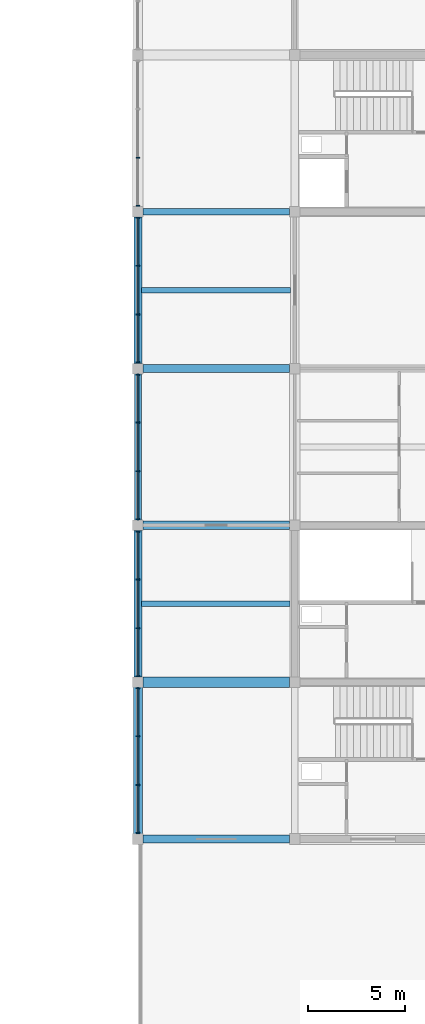
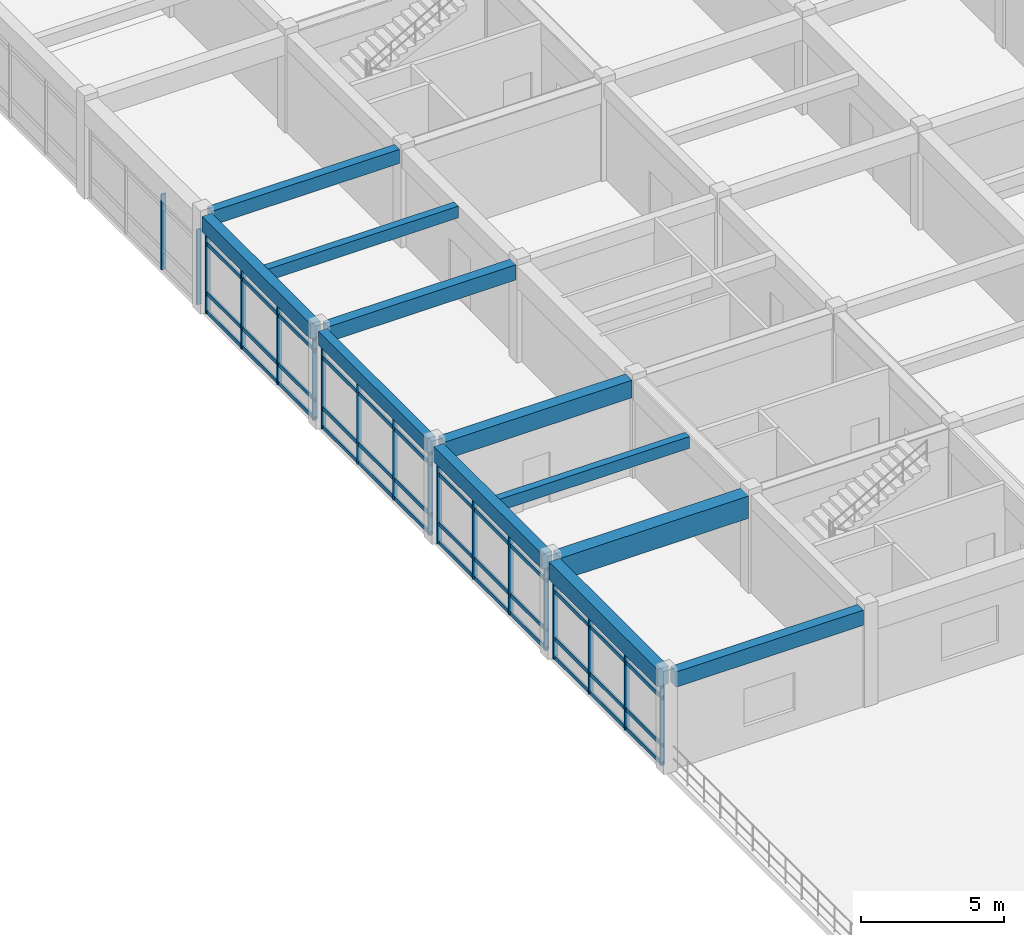
# One storey, part 13 of 33: 34 members, 11 beams, 5 elements without a shape of their own.
"""IFC4 building model written with IfcOpenShell, lengths in metres."""

from ifc_helpers import new_model, si_unit, direction, frame, origin, origin_2d, place, context, subcontext, project, spatial, rectangle, extrude, material, layer, layer_set, material_profile, profile_set, type_object, element, aggregate, save


model = new_model("IFC4")

# Units and contexts
model_context = context("Model", 3, precision=1e-05, world=origin(), true_north=direction((0.0, 1.0)))
body_context = subcontext(model_context, "Body", "Model", "MODEL_VIEW")
ifc_project = project(units=[si_unit("LENGTHUNIT", "METRE"), si_unit("AREAUNIT", "SQUARE_METRE"), si_unit("VOLUMEUNIT", "CUBIC_METRE"), si_unit("PLANEANGLEUNIT", "RADIAN"), si_unit("MASSUNIT", "GRAM", prefix="KILO")], contexts=[model_context])

# Site, building, storey
site_placement = place(None, origin())
site = spatial("IfcSite", under=ifc_project, at=site_placement, CompositionType="ELEMENT")
building_placement = place(site_placement, origin())
building = spatial("IfcBuilding", under=site, at=building_placement, Name="Vaudrelin Polytechnic", CompositionType="ELEMENT")
storey_placement = place(building_placement, frame((0.0, 0.0, 27.3701171875)))
storey = spatial("IfcBuildingStorey", under=building, at=storey_placement, Name="L06", CompositionType="ELEMENT", Elevation=27.3701171875)

# Beams
ifc_material_1 = material(Name="Concrete 40 MPa", Category="concrete")
ifc_material_profile_1 = material_profile(ifc_material_1, rectangle(XDim=0.35009765625, YDim=0.60009765625, at=origin_2d()), Name="RC350x600")
ifc_profile_set_1 = profile_set([ifc_material_profile_1], Name="Concrete 40 MPa")
beam_type_1 = type_object("IfcBeamType", Name="BM-BM-RC3560", PredefinedType="BEAM", material=ifc_profile_set_1)
beam_1_placement = place(storey_placement, frame((137.699951171875, 48.860107421875, 3.85986328125), z_axis=(0.0, 1.0, 0.0), x_axis=(-1.0, 0.0, 0.0)))
element("IfcBeam", 1, at=beam_1_placement, inside=storey, type_object=beam_type_1, Name="L06 Y-beam 18-7", PredefinedType="BEAM", context=body_context, shape_type="SweptSolid", body=[
    extrude(rectangle(XDim=0.35009765625, YDim=0.60009765625, at=origin_2d()), origin(), (0.0, 0.0, 1.0), 7.579833984375),
])
beam_2_placement = place(storey_placement, frame((137.970947265625, 64.800048828125, 3.85986328125), z_axis=(1.0, 0.0, 0.0), x_axis=(0.0, 1.0, 0.0)))
element("IfcBeam", 2, at=beam_2_placement, inside=storey, type_object=beam_type_1, Name="L06 X-beam 18-9", PredefinedType="BEAM", context=body_context, shape_type="SweptSolid", body=[
    extrude(rectangle(XDim=0.35009765625, YDim=0.60009765625, at=origin_2d()), origin(), (0.0, 0.0, 1.0), 7.55810546875),
])
ifc_material_profile_2 = material_profile(ifc_material_1, rectangle(XDim=0.39990234375, YDim=0.64990234375, at=origin_2d()), Name="RC400x650")
ifc_profile_set_2 = profile_set([ifc_material_profile_2], Name="Concrete 40 MPa")
beam_type_2 = type_object("IfcBeamType", Name="BM-BM-RC4065", PredefinedType="BEAM", material=ifc_profile_set_2)
beam_3_placement = place(storey_placement, frame((137.699951171875, 40.760009765625, 3.8349609375), z_axis=(0.0, 1.0, 0.0), x_axis=(-1.0, 0.0, 0.0)))
element("IfcBeam", 3, at=beam_3_placement, inside=storey, type_object=beam_type_2, Name="L06 Y-beam 18-6", PredefinedType="BEAM", context=body_context, shape_type="SweptSolid", body=[
    extrude(rectangle(XDim=0.39990234375, YDim=0.64990234375, at=origin_2d()), origin(), (0.0, 0.0, 1.0), 7.580078125),
])
beam_4_placement = place(storey_placement, frame((137.970947265625, 56.699951171875, 3.8349609375), z_axis=(1.0, 0.0, 0.0), x_axis=(0.0, 1.0, 0.0)))
element("IfcBeam", 4, at=beam_4_placement, inside=storey, type_object=beam_type_2, Name="L06 X-beam 18-8", PredefinedType="BEAM", context=body_context, shape_type="SweptSolid", body=[
    extrude(rectangle(XDim=0.39990234375, YDim=0.64990234375, at=origin_2d()), origin(), (0.0, 0.0, 1.0), 7.55810546875),
])
ifc_material_profile_3 = material_profile(ifc_material_1, rectangle(XDim=0.449951171875, YDim=0.75, at=origin_2d()), Name="RC450x750")
ifc_profile_set_3 = profile_set([ifc_material_profile_3], Name="Concrete 40 MPa")
beam_type_3 = type_object("IfcBeamType", Name="BM-BM-RC4575", PredefinedType="BEAM", material=ifc_profile_set_3)
beam_5_placement = place(storey_placement, frame((137.699951171875, 32.659912109375, 3.784912109375), z_axis=(0.0, 1.0, 0.0), x_axis=(-1.0, 0.0, 0.0)))
element("IfcBeam", 5, at=beam_5_placement, inside=storey, type_object=beam_type_3, Name="L06 Y-beam 18-5", PredefinedType="BEAM", context=body_context, shape_type="SweptSolid", body=[
    extrude(rectangle(XDim=0.449951171875, YDim=0.75, at=origin_2d()), origin(), (0.0, 0.0, 1.0), 7.580078125),
])
beam_6_placement = place(storey_placement, frame((137.970947265625, 48.60009765625, 3.784912109375), z_axis=(1.0, 0.0, 0.0), x_axis=(0.0, 1.0, 0.0)))
element("IfcBeam", 6, at=beam_6_placement, inside=storey, type_object=beam_type_3, Name="L06 X-beam 18-7", PredefinedType="BEAM", context=body_context, shape_type="SweptSolid", body=[
    extrude(rectangle(XDim=0.449951171875, YDim=0.75, at=origin_2d()), origin(), (0.0, 0.0, 1.0), 7.55810546875),
])
ifc_material_2 = material(Name="Concrete 50 MPa", Category="concrete")
ifc_material_profile_4 = material_profile(ifc_material_2, rectangle(XDim=0.550048828125, YDim=0.949951171875, at=origin_2d()), Name="RC550x950")
ifc_profile_set_4 = profile_set([ifc_material_profile_4], Name="Concrete 50 MPa")
beam_type_4 = type_object("IfcBeamType", Name="BM-BM-RC5595", PredefinedType="BEAM", material=ifc_profile_set_4)
beam_7_placement = place(storey_placement, frame((137.970947265625, 40.5, 3.684814453125), z_axis=(1.0, 0.0, 0.0), x_axis=(0.0, 1.0, 0.0)))
element("IfcBeam", 7, at=beam_7_placement, inside=storey, type_object=beam_type_4, Name="L06 X-beam 18-6", PredefinedType="BEAM", context=body_context, shape_type="SweptSolid", body=[
    extrude(rectangle(XDim=0.550048828125, YDim=0.949951171875, at=origin_2d()), origin(), (0.0, 0.0, 1.0), 7.55810546875),
])
ifc_material_profile_5 = material_profile(ifc_material_1, rectangle(XDim=0.300048828125, YDim=0.5, at=origin_2d()), Name="RC300x500")
ifc_profile_set_5 = profile_set([ifc_material_profile_5], Name="Concrete 40 MPa")
beam_type_5 = type_object("IfcBeamType", Name="BM-JS-RC3050", PredefinedType="JOIST", material=ifc_profile_set_5)
beam_8_placement = place(storey_placement, frame((137.89599609375, 44.550048828125, 3.909912109375), z_axis=(1.0, 0.0, 0.0), x_axis=(0.0, 1.0, 0.0)))
element("IfcBeam", 8, at=beam_8_placement, inside=storey, type_object=beam_type_5, Name="L06 floor joist 18-6", PredefinedType="JOIST", context=body_context, shape_type="SweptSolid", body=[
    extrude(rectangle(XDim=0.300048828125, YDim=0.5, at=origin_2d()), origin(), (0.0, 0.0, 1.0), 7.657958984375),
])
beam_9_placement = place(storey_placement, frame((137.89599609375, 60.75, 3.909912109375), z_axis=(1.0, 0.0, 0.0), x_axis=(0.0, 1.0, 0.0)))
element("IfcBeam", 9, at=beam_9_placement, inside=storey, type_object=beam_type_5, Name="L06 floor joist 18-8", PredefinedType="JOIST", context=body_context, shape_type="SweptSolid", body=[
    extrude(rectangle(XDim=0.300048828125, YDim=0.5, at=origin_2d()), origin(), (0.0, 0.0, 1.0), 7.68310546875),
])
ifc_material_profile_6 = material_profile(ifc_material_1, rectangle(XDim=0.39990234375, YDim=0.64990234375, at=origin_2d()), Name="RC400x650")
ifc_profile_set_6 = profile_set([ifc_material_profile_6], Name="Concrete 40 MPa")
beam_type_6 = type_object("IfcBeamType", Name="BM-SP-RC4065", PredefinedType="SPANDREL", material=ifc_profile_set_6)
beam_10_placement = place(storey_placement, frame((137.699951171875, 56.9599609375, 3.8349609375), z_axis=(0.0, 1.0, 0.0), x_axis=(-1.0, 0.0, 0.0)))
element("IfcBeam", 10, at=beam_10_placement, inside=storey, type_object=beam_type_6, Name="L06 Y-beam 18-8", PredefinedType="SPANDREL", context=body_context, shape_type="SweptSolid", body=[
    extrude(rectangle(XDim=0.39990234375, YDim=0.64990234375, at=origin_2d()), origin(), (0.0, 0.0, 1.0), 7.580078125),
])
beam_11_placement = place(storey_placement, frame((137.970947265625, 32.39990234375, 3.8349609375), z_axis=(1.0, 0.0, 0.0), x_axis=(0.0, 1.0, 0.0)))
element("IfcBeam", 11, at=beam_11_placement, inside=storey, type_object=beam_type_6, Name="L06 X-beam 18-5", PredefinedType="SPANDREL", context=body_context, shape_type="SweptSolid", body=[
    extrude(rectangle(XDim=0.39990234375, YDim=0.64990234375, at=origin_2d()), origin(), (0.0, 0.0, 1.0), 7.55810546875),
])

# Curtain wall, members
ifc_material_3 = material(Name="Thermally broken anodised aluminium AA 6063-T6 and low-e triple glazing", Category="aluminium")
ifc_layer = layer(ifc_material_3, 0.199951171875)
ifc_layer_set = layer_set([ifc_layer], Name="Thermally broken anodised aluminium AA 6063-T6 and low-e triple glazing")
curtain_wall_type = type_object("IfcCurtainWallType", Name="CW-CW-LAB", PredefinedType="USERDEFINED", material=ifc_layer_set)
curtain_wall_1_placement = place(storey_placement, origin())
curtain_wall_1 = element("IfcCurtainWall", 12, at=curtain_wall_1_placement, inside=storey, type_object=curtain_wall_type, Name="Curtain wall L06 W_V4_00", ObjectType="CURTAIN WALL", PredefinedType="USERDEFINED")
ifc_material_4 = material(Name="Anodised aluminium AA 6063-T6", Category="aluminium")
ifc_material_profile_7 = material_profile(ifc_material_4, rectangle(XDim=0.06494140625, YDim=0.179931640625, at=origin_2d()), Name="CWM-65x180")
ifc_profile_set_7 = profile_set([ifc_material_profile_7], Name="Anodised aluminium AA 6063-T6")
member_type_1 = type_object("IfcMemberType", Name="MEM-CWM-180", PredefinedType="MULLION", material=ifc_profile_set_7)
member_1_placement = place(storey_placement, frame((137.699951171875, 32.712890625, 0.0), z_axis=(0.0, 0.0, 1.0), x_axis=(0.0, 1.0, 0.0)))
member_1 = element("IfcMember", 13, at=member_1_placement, type_object=member_type_1, Name="W_V4_00 mullion 1", PredefinedType="MULLION", context=body_context, shape_type="SweptSolid", body=[
    extrude(rectangle(XDim=0.06494140625, YDim=0.179931640625, at=origin_2d()), origin(), (0.0, 0.0, 1.0), 3.411865234375),
])
member_2_placement = place(storey_placement, frame((137.699951171875, 35.19091796875, 0.0), z_axis=(0.0, 0.0, 1.0), x_axis=(0.0, 1.0, 0.0)))
member_2 = element("IfcMember", 14, at=member_2_placement, type_object=member_type_1, Name="W_V4_00 mullion 2", PredefinedType="MULLION", context=body_context, shape_type="SweptSolid", body=[
    extrude(rectangle(XDim=0.06494140625, YDim=0.179931640625, at=origin_2d()), origin(), (0.0, 0.0, 1.0), 3.411865234375),
])
member_3_placement = place(storey_placement, frame((137.699951171875, 37.708984375, 0.0), z_axis=(0.0, 0.0, 1.0), x_axis=(0.0, 1.0, 0.0)))
member_3 = element("IfcMember", 15, at=member_3_placement, type_object=member_type_1, Name="W_V4_00 mullion 3", PredefinedType="MULLION", context=body_context, shape_type="SweptSolid", body=[
    extrude(rectangle(XDim=0.06494140625, YDim=0.179931640625, at=origin_2d()), origin(), (0.0, 0.0, 1.0), 3.411865234375),
])
member_4_placement = place(storey_placement, frame((137.699951171875, 40.18701171875, 0.0), z_axis=(0.0, 0.0, 1.0), x_axis=(0.0, 1.0, 0.0)))
member_4 = element("IfcMember", 16, at=member_4_placement, type_object=member_type_1, Name="W_V4_00 mullion 4", PredefinedType="MULLION", context=body_context, shape_type="SweptSolid", body=[
    extrude(rectangle(XDim=0.06494140625, YDim=0.179931640625, at=origin_2d()), origin(), (0.0, 0.0, 1.0), 3.411865234375),
])

curtain_wall_2_placement = place(storey_placement, origin())
curtain_wall_2 = element("IfcCurtainWall", 17, at=curtain_wall_2_placement, inside=storey, type_object=curtain_wall_type, Name="Curtain wall L06 W_V4_01", ObjectType="CURTAIN WALL", PredefinedType="USERDEFINED")
member_5_placement = place(storey_placement, frame((137.699951171875, 40.81298828125, 0.0), z_axis=(0.0, 0.0, 1.0), x_axis=(0.0, 1.0, 0.0)))
member_5 = element("IfcMember", 18, at=member_5_placement, type_object=member_type_1, Name="W_V4_01 mullion 1", PredefinedType="MULLION", context=body_context, shape_type="SweptSolid", body=[
    extrude(rectangle(XDim=0.06494140625, YDim=0.179931640625, at=origin_2d()), origin(), (0.0, 0.0, 1.0), 3.511962890625),
])
member_6_placement = place(storey_placement, frame((137.699951171875, 43.291015625, 0.0), z_axis=(0.0, 0.0, 1.0), x_axis=(0.0, 1.0, 0.0)))
member_6 = element("IfcMember", 19, at=member_6_placement, type_object=member_type_1, Name="W_V4_01 mullion 2", PredefinedType="MULLION", context=body_context, shape_type="SweptSolid", body=[
    extrude(rectangle(XDim=0.06494140625, YDim=0.179931640625, at=origin_2d()), origin(), (0.0, 0.0, 1.0), 3.511962890625),
])
member_7_placement = place(storey_placement, frame((137.699951171875, 45.80908203125, 0.0), z_axis=(0.0, 0.0, 1.0), x_axis=(0.0, 1.0, 0.0)))
member_7 = element("IfcMember", 20, at=member_7_placement, type_object=member_type_1, Name="W_V4_01 mullion 3", PredefinedType="MULLION", context=body_context, shape_type="SweptSolid", body=[
    extrude(rectangle(XDim=0.06494140625, YDim=0.179931640625, at=origin_2d()), origin(), (0.0, 0.0, 1.0), 3.511962890625),
])
member_8_placement = place(storey_placement, frame((137.699951171875, 48.287109375, 0.0), z_axis=(0.0, 0.0, 1.0), x_axis=(0.0, 1.0, 0.0)))
member_8 = element("IfcMember", 21, at=member_8_placement, type_object=member_type_1, Name="W_V4_01 mullion 4", PredefinedType="MULLION", context=body_context, shape_type="SweptSolid", body=[
    extrude(rectangle(XDim=0.06494140625, YDim=0.179931640625, at=origin_2d()), origin(), (0.0, 0.0, 1.0), 3.511962890625),
])

curtain_wall_3_placement = place(storey_placement, origin())
curtain_wall_3 = element("IfcCurtainWall", 22, at=curtain_wall_3_placement, inside=storey, type_object=curtain_wall_type, Name="Curtain wall L06 W_V4_02", ObjectType="CURTAIN WALL", PredefinedType="USERDEFINED")
member_9_placement = place(storey_placement, frame((137.699951171875, 48.9130859375, 0.0), z_axis=(0.0, 0.0, 1.0), x_axis=(0.0, 1.0, 0.0)))
member_9 = element("IfcMember", 23, at=member_9_placement, type_object=member_type_1, Name="W_V4_02 mullion 1", PredefinedType="MULLION", context=body_context, shape_type="SweptSolid", body=[
    extrude(rectangle(XDim=0.06494140625, YDim=0.179931640625, at=origin_2d()), origin(), (0.0, 0.0, 1.0), 3.561767578125),
])
member_10_placement = place(storey_placement, frame((137.699951171875, 51.39111328125, 0.0), z_axis=(0.0, 0.0, 1.0), x_axis=(0.0, 1.0, 0.0)))
member_10 = element("IfcMember", 24, at=member_10_placement, type_object=member_type_1, Name="W_V4_02 mullion 2", PredefinedType="MULLION", context=body_context, shape_type="SweptSolid", body=[
    extrude(rectangle(XDim=0.06494140625, YDim=0.179931640625, at=origin_2d()), origin(), (0.0, 0.0, 1.0), 3.561767578125),
])
member_11_placement = place(storey_placement, frame((137.699951171875, 53.908935546875, 0.0), z_axis=(0.0, 0.0, 1.0), x_axis=(0.0, 1.0, 0.0)))
member_11 = element("IfcMember", 25, at=member_11_placement, type_object=member_type_1, Name="W_V4_02 mullion 3", PredefinedType="MULLION", context=body_context, shape_type="SweptSolid", body=[
    extrude(rectangle(XDim=0.06494140625, YDim=0.179931640625, at=origin_2d()), origin(), (0.0, 0.0, 1.0), 3.561767578125),
])
member_12_placement = place(storey_placement, frame((137.699951171875, 56.386962890625, 0.0), z_axis=(0.0, 0.0, 1.0), x_axis=(0.0, 1.0, 0.0)))
member_12 = element("IfcMember", 26, at=member_12_placement, type_object=member_type_1, Name="W_V4_02 mullion 4", PredefinedType="MULLION", context=body_context, shape_type="SweptSolid", body=[
    extrude(rectangle(XDim=0.06494140625, YDim=0.179931640625, at=origin_2d()), origin(), (0.0, 0.0, 1.0), 3.561767578125),
])

curtain_wall_4_placement = place(storey_placement, origin())
curtain_wall_4 = element("IfcCurtainWall", 27, at=curtain_wall_4_placement, inside=storey, type_object=curtain_wall_type, Name="Curtain wall L06 W_V4_03", ObjectType="CURTAIN WALL", PredefinedType="USERDEFINED")
member_13_placement = place(storey_placement, frame((137.699951171875, 57.012939453125, 0.0), z_axis=(0.0, 0.0, 1.0), x_axis=(0.0, 1.0, 0.0)))
member_13 = element("IfcMember", 28, at=member_13_placement, type_object=member_type_1, Name="W_V4_03 mullion 1", PredefinedType="MULLION", context=body_context, shape_type="SweptSolid", body=[
    extrude(rectangle(XDim=0.06494140625, YDim=0.179931640625, at=origin_2d()), origin(), (0.0, 0.0, 1.0), 3.511962890625),
])
member_14_placement = place(storey_placement, frame((137.699951171875, 59.490966796875, 0.0), z_axis=(0.0, 0.0, 1.0), x_axis=(0.0, 1.0, 0.0)))
member_14 = element("IfcMember", 29, at=member_14_placement, type_object=member_type_1, Name="W_V4_03 mullion 2", PredefinedType="MULLION", context=body_context, shape_type="SweptSolid", body=[
    extrude(rectangle(XDim=0.06494140625, YDim=0.179931640625, at=origin_2d()), origin(), (0.0, 0.0, 1.0), 3.511962890625),
])
member_15_placement = place(storey_placement, frame((137.699951171875, 62.009033203125, 0.0), z_axis=(0.0, 0.0, 1.0), x_axis=(0.0, 1.0, 0.0)))
member_15 = element("IfcMember", 30, at=member_15_placement, type_object=member_type_1, Name="W_V4_03 mullion 3", PredefinedType="MULLION", context=body_context, shape_type="SweptSolid", body=[
    extrude(rectangle(XDim=0.06494140625, YDim=0.179931640625, at=origin_2d()), origin(), (0.0, 0.0, 1.0), 3.511962890625),
])
member_16_placement = place(storey_placement, frame((137.699951171875, 64.487060546875, 0.0), z_axis=(0.0, 0.0, 1.0), x_axis=(0.0, 1.0, 0.0)))
member_16 = element("IfcMember", 31, at=member_16_placement, type_object=member_type_1, Name="W_V4_03 mullion 4", PredefinedType="MULLION", context=body_context, shape_type="SweptSolid", body=[
    extrude(rectangle(XDim=0.06494140625, YDim=0.179931640625, at=origin_2d()), origin(), (0.0, 0.0, 1.0), 3.511962890625),
])

curtain_wall_5_placement = place(storey_placement, origin())
curtain_wall_5 = element("IfcCurtainWall", 32, at=curtain_wall_5_placement, inside=storey, type_object=curtain_wall_type, Name="Curtain wall L06 W_V4_04", ObjectType="CURTAIN WALL", PredefinedType="USERDEFINED")
member_17_placement = place(storey_placement, frame((137.699951171875, 65.113037109375, 0.0), z_axis=(0.0, 0.0, 1.0), x_axis=(0.0, 1.0, 0.0)))
member_17 = element("IfcMember", 33, at=member_17_placement, type_object=member_type_1, Name="W_V4_04 mullion 1", PredefinedType="MULLION", context=body_context, shape_type="SweptSolid", body=[
    extrude(rectangle(XDim=0.06494140625, YDim=0.179931640625, at=origin_2d()), origin(), (0.0, 0.0, 1.0), 3.2119140625),
])
member_18_placement = place(storey_placement, frame((137.699951171875, 67.591064453125, 0.0), z_axis=(0.0, 0.0, 1.0), x_axis=(0.0, 1.0, 0.0)))
member_18 = element("IfcMember", 34, at=member_18_placement, type_object=member_type_1, Name="W_V4_04 mullion 2", PredefinedType="MULLION", context=body_context, shape_type="SweptSolid", body=[
    extrude(rectangle(XDim=0.06494140625, YDim=0.179931640625, at=origin_2d()), origin(), (0.0, 0.0, 1.0), 3.2119140625),
])
aggregate(curtain_wall_5, [member_17, member_18])

# Member
ifc_material_profile_8 = material_profile(ifc_material_4, rectangle(XDim=0.074951171875, YDim=0.1650390625, at=origin_2d()), Name="CWT-75x165")
ifc_profile_set_8 = profile_set([ifc_material_profile_8], Name="Anodised aluminium AA 6063-T6")
member_type_2 = type_object("IfcMemberType", Name="MEM-CWT-165", PredefinedType="USERDEFINED", material=ifc_profile_set_8)
member_19_placement = place(storey_placement, frame((137.699951171875, 32.673095703125, 0.0498046875), z_axis=(0.0, 1.0, 0.0), x_axis=(-1.0, 0.0, 0.0)))
member_19 = element("IfcMember", 35, at=member_19_placement, type_object=member_type_2, Name="W_V4_00 transom 1", ObjectType="TRANSOM", PredefinedType="USERDEFINED", context=body_context, shape_type="SweptSolid", body=[
    extrude(rectangle(XDim=0.074951171875, YDim=0.1650390625, at=origin_2d()), origin(), (0.0, 0.0, 1.0), 7.553955078125),
])

member_20_placement = place(storey_placement, frame((137.699951171875, 32.673095703125, 0.849853515625), z_axis=(0.0, 1.0, 0.0), x_axis=(-1.0, 0.0, 0.0)))
member_20 = element("IfcMember", 36, at=member_20_placement, type_object=member_type_2, Name="W_V4_00 transom 2", ObjectType="TRANSOM", PredefinedType="USERDEFINED", context=body_context, shape_type="SweptSolid", body=[
    extrude(rectangle(XDim=0.074951171875, YDim=0.1650390625, at=origin_2d()), origin(), (0.0, 0.0, 1.0), 7.553955078125),
])

member_21_placement = place(storey_placement, frame((137.699951171875, 32.673095703125, 2.86181640625), z_axis=(0.0, 1.0, 0.0), x_axis=(-1.0, 0.0, 0.0)))
member_21 = element("IfcMember", 37, at=member_21_placement, type_object=member_type_2, Name="W_V4_00 transom 3", ObjectType="TRANSOM", PredefinedType="USERDEFINED", context=body_context, shape_type="SweptSolid", body=[
    extrude(rectangle(XDim=0.074951171875, YDim=0.1650390625, at=origin_2d()), origin(), (0.0, 0.0, 1.0), 7.553955078125),
])

member_22_placement = place(storey_placement, frame((137.699951171875, 32.673095703125, 3.36181640625), z_axis=(0.0, 1.0, 0.0), x_axis=(-1.0, 0.0, 0.0)))
member_22 = element("IfcMember", 38, at=member_22_placement, type_object=member_type_2, Name="W_V4_00 transom 4", ObjectType="TRANSOM", PredefinedType="USERDEFINED", context=body_context, shape_type="SweptSolid", body=[
    extrude(rectangle(XDim=0.074951171875, YDim=0.1650390625, at=origin_2d()), origin(), (0.0, 0.0, 1.0), 7.553955078125),
])

aggregate(curtain_wall_1, [member_1, member_2, member_3, member_4, member_19, member_20, member_21, member_22])

member_23_placement = place(storey_placement, frame((137.699951171875, 40.77294921875, 0.0498046875), z_axis=(0.0, 1.0, 0.0), x_axis=(-1.0, 0.0, 0.0)))
member_23 = element("IfcMember", 39, at=member_23_placement, type_object=member_type_2, Name="W_V4_01 transom 1", ObjectType="TRANSOM", PredefinedType="USERDEFINED", context=body_context, shape_type="SweptSolid", body=[
    extrude(rectangle(XDim=0.074951171875, YDim=0.1650390625, at=origin_2d()), origin(), (0.0, 0.0, 1.0), 7.553955078125),
])

member_24_placement = place(storey_placement, frame((137.699951171875, 40.77294921875, 0.849853515625), z_axis=(0.0, 1.0, 0.0), x_axis=(-1.0, 0.0, 0.0)))
member_24 = element("IfcMember", 40, at=member_24_placement, type_object=member_type_2, Name="W_V4_01 transom 2", ObjectType="TRANSOM", PredefinedType="USERDEFINED", context=body_context, shape_type="SweptSolid", body=[
    extrude(rectangle(XDim=0.074951171875, YDim=0.1650390625, at=origin_2d()), origin(), (0.0, 0.0, 1.0), 7.553955078125),
])

member_25_placement = place(storey_placement, frame((137.699951171875, 40.77294921875, 2.9619140625), z_axis=(0.0, 1.0, 0.0), x_axis=(-1.0, 0.0, 0.0)))
member_25 = element("IfcMember", 41, at=member_25_placement, type_object=member_type_2, Name="W_V4_01 transom 3", ObjectType="TRANSOM", PredefinedType="USERDEFINED", context=body_context, shape_type="SweptSolid", body=[
    extrude(rectangle(XDim=0.074951171875, YDim=0.1650390625, at=origin_2d()), origin(), (0.0, 0.0, 1.0), 7.553955078125),
])

member_26_placement = place(storey_placement, frame((137.699951171875, 40.77294921875, 3.4619140625), z_axis=(0.0, 1.0, 0.0), x_axis=(-1.0, 0.0, 0.0)))
member_26 = element("IfcMember", 42, at=member_26_placement, type_object=member_type_2, Name="W_V4_01 transom 4", ObjectType="TRANSOM", PredefinedType="USERDEFINED", context=body_context, shape_type="SweptSolid", body=[
    extrude(rectangle(XDim=0.074951171875, YDim=0.1650390625, at=origin_2d()), origin(), (0.0, 0.0, 1.0), 7.553955078125),
])

aggregate(curtain_wall_2, [member_5, member_6, member_7, member_8, member_23, member_24, member_25, member_26])

member_27_placement = place(storey_placement, frame((137.699951171875, 48.873046875, 0.0498046875), z_axis=(0.0, 1.0, 0.0), x_axis=(-1.0, 0.0, 0.0)))
member_27 = element("IfcMember", 43, at=member_27_placement, type_object=member_type_2, Name="W_V4_02 transom 1", ObjectType="TRANSOM", PredefinedType="USERDEFINED", context=body_context, shape_type="SweptSolid", body=[
    extrude(rectangle(XDim=0.074951171875, YDim=0.1650390625, at=origin_2d()), origin(), (0.0, 0.0, 1.0), 7.553955078125),
])

member_28_placement = place(storey_placement, frame((137.699951171875, 48.873046875, 0.849853515625), z_axis=(0.0, 1.0, 0.0), x_axis=(-1.0, 0.0, 0.0)))
member_28 = element("IfcMember", 44, at=member_28_placement, type_object=member_type_2, Name="W_V4_02 transom 2", ObjectType="TRANSOM", PredefinedType="USERDEFINED", context=body_context, shape_type="SweptSolid", body=[
    extrude(rectangle(XDim=0.074951171875, YDim=0.1650390625, at=origin_2d()), origin(), (0.0, 0.0, 1.0), 7.553955078125),
])

member_29_placement = place(storey_placement, frame((137.699951171875, 48.873046875, 3.011962890625), z_axis=(0.0, 1.0, 0.0), x_axis=(-1.0, 0.0, 0.0)))
member_29 = element("IfcMember", 45, at=member_29_placement, type_object=member_type_2, Name="W_V4_02 transom 3", ObjectType="TRANSOM", PredefinedType="USERDEFINED", context=body_context, shape_type="SweptSolid", body=[
    extrude(rectangle(XDim=0.074951171875, YDim=0.1650390625, at=origin_2d()), origin(), (0.0, 0.0, 1.0), 7.553955078125),
])

member_30_placement = place(storey_placement, frame((137.699951171875, 48.873046875, 3.511962890625), z_axis=(0.0, 1.0, 0.0), x_axis=(-1.0, 0.0, 0.0)))
member_30 = element("IfcMember", 46, at=member_30_placement, type_object=member_type_2, Name="W_V4_02 transom 4", ObjectType="TRANSOM", PredefinedType="USERDEFINED", context=body_context, shape_type="SweptSolid", body=[
    extrude(rectangle(XDim=0.074951171875, YDim=0.1650390625, at=origin_2d()), origin(), (0.0, 0.0, 1.0), 7.553955078125),
])

aggregate(curtain_wall_3, [member_9, member_10, member_11, member_12, member_27, member_28, member_29, member_30])

member_31_placement = place(storey_placement, frame((137.699951171875, 56.972900390625, 0.0498046875), z_axis=(0.0, 1.0, 0.0), x_axis=(-1.0, 0.0, 0.0)))
member_31 = element("IfcMember", 47, at=member_31_placement, type_object=member_type_2, Name="W_V4_03 transom 1", ObjectType="TRANSOM", PredefinedType="USERDEFINED", context=body_context, shape_type="SweptSolid", body=[
    extrude(rectangle(XDim=0.074951171875, YDim=0.1650390625, at=origin_2d()), origin(), (0.0, 0.0, 1.0), 7.55419921875),
])

member_32_placement = place(storey_placement, frame((137.699951171875, 56.972900390625, 0.849853515625), z_axis=(0.0, 1.0, 0.0), x_axis=(-1.0, 0.0, 0.0)))
member_32 = element("IfcMember", 48, at=member_32_placement, type_object=member_type_2, Name="W_V4_03 transom 2", ObjectType="TRANSOM", PredefinedType="USERDEFINED", context=body_context, shape_type="SweptSolid", body=[
    extrude(rectangle(XDim=0.074951171875, YDim=0.1650390625, at=origin_2d()), origin(), (0.0, 0.0, 1.0), 7.55419921875),
])

member_33_placement = place(storey_placement, frame((137.699951171875, 56.972900390625, 2.9619140625), z_axis=(0.0, 1.0, 0.0), x_axis=(-1.0, 0.0, 0.0)))
member_33 = element("IfcMember", 49, at=member_33_placement, type_object=member_type_2, Name="W_V4_03 transom 3", ObjectType="TRANSOM", PredefinedType="USERDEFINED", context=body_context, shape_type="SweptSolid", body=[
    extrude(rectangle(XDim=0.074951171875, YDim=0.1650390625, at=origin_2d()), origin(), (0.0, 0.0, 1.0), 7.55419921875),
])

member_34_placement = place(storey_placement, frame((137.699951171875, 56.972900390625, 3.4619140625), z_axis=(0.0, 1.0, 0.0), x_axis=(-1.0, 0.0, 0.0)))
member_34 = element("IfcMember", 50, at=member_34_placement, type_object=member_type_2, Name="W_V4_03 transom 4", ObjectType="TRANSOM", PredefinedType="USERDEFINED", context=body_context, shape_type="SweptSolid", body=[
    extrude(rectangle(XDim=0.074951171875, YDim=0.1650390625, at=origin_2d()), origin(), (0.0, 0.0, 1.0), 7.55419921875),
])

aggregate(curtain_wall_4, [member_13, member_14, member_15, member_16, member_31, member_32, member_33, member_34])

save(model, "model.ifc")
